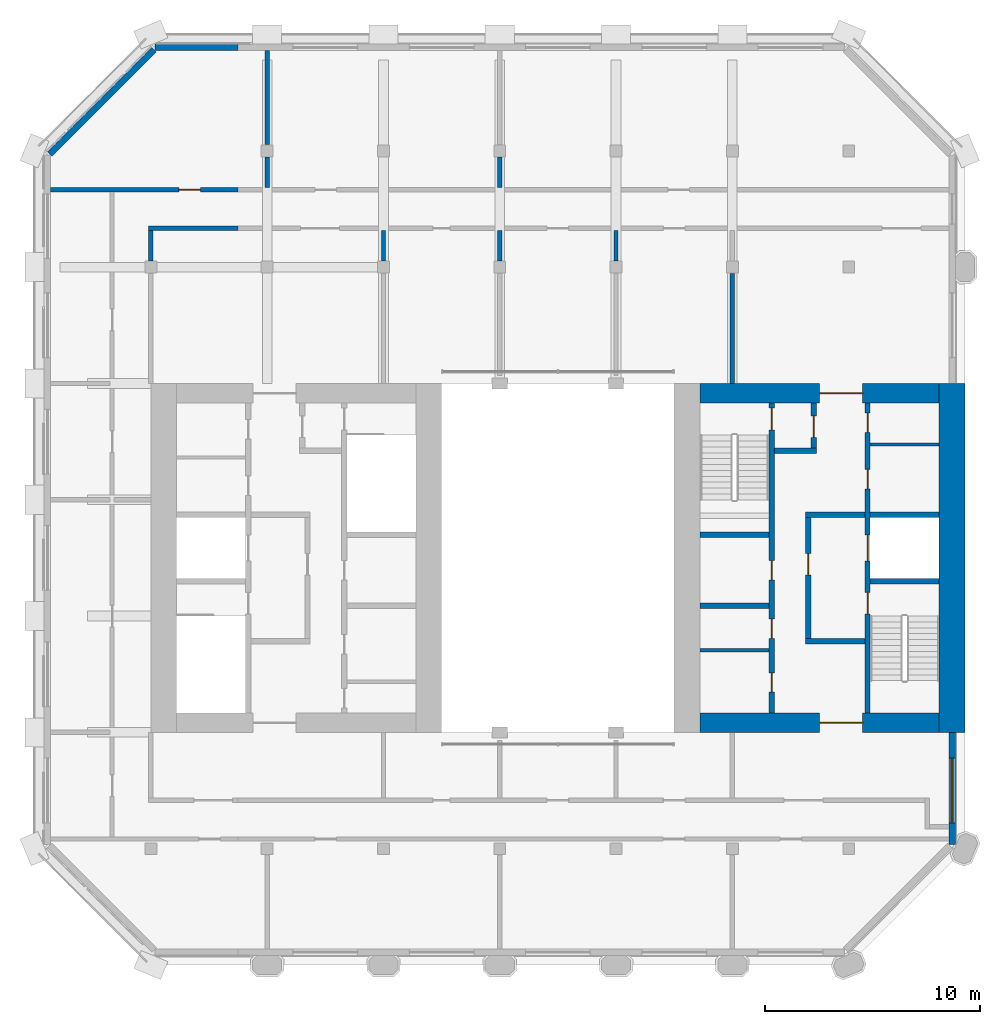
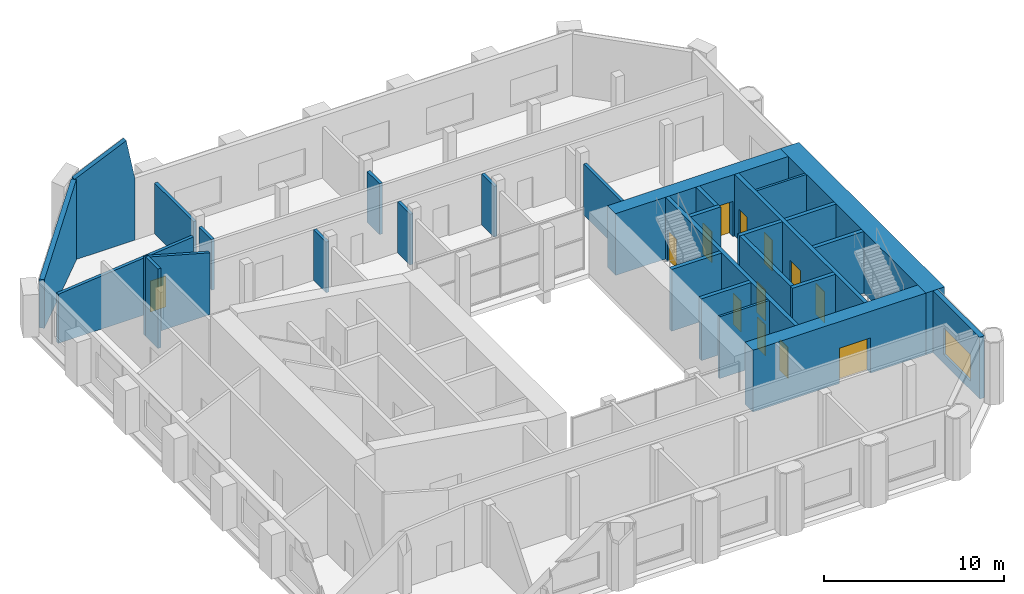
# One storey, part 8 of 11: 29 walls, 13 doors, 1 window, 14 openings.
"""IFC4 building model written with IfcOpenShell, lengths in metres."""

import ifcopenshell
import ifcopenshell.guid

model = None  # the IFC model being written
_history = None  # IfcOwnerHistory: only IFC2X3 demands one
_inside = {}  # id of a spatial element -> (the spatial element, [elements in it])
_under = {}  # id of a project, library or spatial element -> (it, [spatial elements below it])
_declared = {}  # id of a project -> (the project, [libraries it declares])
_typed = {}  # id of a type object -> (the type object, [elements of that type])
_made_of = {}  # id of a material, layer set ... -> (it, [elements and type objects made of it])


def new_model(schema):
    """Start an empty IFC model of exactly this schema.

    Asked for "IFC4X3", IfcOpenShell would pick the latest addendum, in which some entities
    have other attributes; the version numbers below select the first issue.
    IFC2X3 requires an IfcOwnerHistory on every rooted entity: one is made here for all.
    """
    global model, _history
    if schema == "IFC4X3":
        model = ifcopenshell.file(schema_version=(4, 3, 0, 0))
    else:
        model = ifcopenshell.file(schema=schema)
    _inside.clear()
    _under.clear()
    _declared.clear()
    _typed.clear()
    _made_of.clear()
    _history = None
    if model.schema == "IFC2X3":
        org = make("IfcOrganization", Name="unknown")
        user = make(
            "IfcPersonAndOrganization",
            ThePerson=make("IfcPerson", FamilyName="unknown"),
            TheOrganization=org,
        )
        app = make(
            "IfcApplication",
            ApplicationDeveloper=org,
            Version="unknown",
            ApplicationFullName="unknown",
            ApplicationIdentifier="unknown",
        )
        _history = make(
            "IfcOwnerHistory",
            OwningUser=user,
            OwningApplication=app,
            ChangeAction="ADDED",
            CreationDate=0,
        )
    return model


def make(cls, **values):
    """One entity of the class cls with the attributes given. An attribute that is None is left unset."""
    return model.create_entity(
        cls, **{name: value for name, value in values.items() if value is not None}
    )


def rooted(cls, **values):
    """An entity with a GlobalId (a new one), such as an element, a storey or a relation."""
    return make(cls, GlobalId=ifcopenshell.guid.new(), OwnerHistory=_history, **values)


def si_unit(unit_type, name, prefix=None):
    """IfcSIUnit, for example si_unit("LENGTHUNIT", "METRE", prefix="MILLI")."""
    return make("IfcSIUnit", UnitType=unit_type, Prefix=prefix, Name=name)


def assignment(units):
    """IfcUnitAssignment: the units of a project."""
    return None if units is None else make("IfcUnitAssignment", Units=units)


def point(xyz):
    """IfcCartesianPoint."""
    return None if xyz is None else make("IfcCartesianPoint", Coordinates=xyz)


def direction(xyz):
    """IfcDirection."""
    return None if xyz is None else make("IfcDirection", DirectionRatios=xyz)


def frame(location, z_axis=None, x_axis=None):
    """IfcAxis2Placement3D, a coordinate frame: its origin and axes. An axis left out is left unset."""
    return make(
        "IfcAxis2Placement3D",
        Location=point(location),
        Axis=direction(z_axis),
        RefDirection=direction(x_axis),
    )


def frame_2d(location, x_axis=None):
    """IfcAxis2Placement2D, a coordinate frame in the plane: its origin and x axis."""
    return make(
        "IfcAxis2Placement2D", Location=point(location), RefDirection=direction(x_axis)
    )


def origin():
    """The frame at (0, 0, 0) with its axes left unset."""
    return frame((0.0, 0.0, 0.0))


def place(relative_to, where):
    """IfcLocalPlacement: puts the frame where relative to a parent placement (None: the world)."""
    return make(
        "IfcLocalPlacement", PlacementRelTo=relative_to, RelativePlacement=where
    )


def context(
    kind, dimensions, precision=None, world=None, true_north=None, identifier=None
):
    """IfcGeometricRepresentationContext, for example the 3D "Model" context."""
    return make(
        "IfcGeometricRepresentationContext",
        ContextIdentifier=identifier,
        ContextType=kind,
        CoordinateSpaceDimension=dimensions,
        Precision=precision,
        WorldCoordinateSystem=world,
        TrueNorth=true_north,
    )


def subcontext(parent, identifier, kind, view, scale=None):
    """IfcGeometricRepresentationSubContext, for example "Body" below "Model"."""
    return make(
        "IfcGeometricRepresentationSubContext",
        ContextIdentifier=identifier,
        ContextType=kind,
        ParentContext=parent,
        TargetScale=scale,
        TargetView=view,
    )


def project(units=None, contexts=None):
    """IfcProject with its units and contexts."""
    return rooted(
        "IfcProject",
        Name="project",
        RepresentationContexts=contexts,
        UnitsInContext=assignment(units),
    )


def spatial(cls, under=None, at=None, **own):
    """A site, building, storey or space (cls), placed at a placement, below another one or the project."""
    s = rooted(cls, ObjectPlacement=at, **own)
    if under is not None:
        _under.setdefault(under.id(), (under, []))[1].append(s)
    return s


def polyline(points):
    """IfcPolyline through the points."""
    return make("IfcPolyline", Points=[point(p) for p in points])


def profile(cls, at=None, kind="AREA", **sizes):
    """A parametric profile (cls). Its sizes go by their IFC names, for example OverallWidth=200.0."""
    return make(cls, ProfileType=kind, Position=at, **sizes)


def rectangle(**sizes):
    """IfcRectangleProfileDef."""
    return profile("IfcRectangleProfileDef", **sizes)


def outline(outer, holes=None, kind="AREA"):
    """IfcArbitraryClosedProfileDef: a profile drawn as a closed curve; with holes, ...WithVoids."""
    if holes is None:
        return make("IfcArbitraryClosedProfileDef", ProfileType=kind, OuterCurve=outer)
    return make(
        "IfcArbitraryProfileDefWithVoids",
        ProfileType=kind,
        OuterCurve=outer,
        InnerCurves=holes,
    )


def extrude(swept, where, along, depth):
    """IfcExtrudedAreaSolid: the profile swept, set in the frame where, extruded along a direction by depth."""
    return make(
        "IfcExtrudedAreaSolid",
        SweptArea=swept,
        Position=where,
        ExtrudedDirection=direction(along),
        Depth=depth,
    )


def shape(context_of_items, identifier, shape_type, items):
    """IfcShapeRepresentation: the items that make up one representation, for example the "Body"."""
    return make(
        "IfcShapeRepresentation",
        ContextOfItems=context_of_items,
        RepresentationIdentifier=identifier,
        RepresentationType=shape_type,
        Items=items,
    )


def material(Name=None, Category=None):
    """IfcMaterial."""
    return make("IfcMaterial", Name=Name, Category=Category)


def layer(
    of_material, thickness, ventilated=None, Name=None, Category=None, Priority=None
):
    """IfcMaterialLayer: one layer of a wall or slab, of a material (None: an air gap)."""
    return make(
        "IfcMaterialLayer",
        Material=of_material,
        LayerThickness=thickness,
        IsVentilated=ventilated,
        Name=Name,
        Category=Category,
        Priority=Priority,
    )


def layer_set(layers, Name=None):
    """IfcMaterialLayerSet."""
    return make("IfcMaterialLayerSet", MaterialLayers=layers, LayerSetName=Name)


def made_of(thing, what):
    """Note that an element or type object is made of a material, layer set ...; save() writes the relation."""
    if what is not None:
        _made_of.setdefault(what.id(), (what, []))[1].append(thing)
    return thing


def type_object(cls, material=None, **own):
    """A type object (cls), such as IfcWallType, which elements share."""
    return made_of(rooted(cls, **own), material)


def element(
    cls,
    number,
    at=None,
    inside=None,
    cuts=None,
    type_object=None,
    material=None,
    context=None,
    identifier="Body",
    shape_type=None,
    held_by="IfcProductDefinitionShape",
    body=None,
    shapes=None,
    **own,
):
    """One element of the class cls, such as IfcWall. Its Tag is "e" and its number.

    at: its placement. inside: the storey or other place that contains it. cuts: it is an
    opening in that element (IfcRelVoidsElement). A single representation is given by context,
    identifier, shape_type and body (its items); several are given by shapes. held_by: the class
    of the entity that holds the representations. save() writes the other relations.
    """
    e = rooted(cls, Tag="e%d" % number, ObjectPlacement=at, **own)
    if body is not None:
        shapes = [shape(context, identifier, shape_type, body)]
    if shapes is not None:
        e.Representation = make(held_by, Representations=shapes)
    if inside is not None:
        _inside.setdefault(inside.id(), (inside, []))[1].append(e)
    if cuts is not None:
        rooted(
            "IfcRelVoidsElement", RelatingBuildingElement=cuts, RelatedOpeningElement=e
        )
    if type_object is not None:
        _typed.setdefault(type_object.id(), (type_object, []))[1].append(e)
    return made_of(e, material)


def fill(opening, filler):
    """IfcRelFillsElement: the door or window that sits in an opening."""
    return rooted(
        "IfcRelFillsElement",
        RelatingOpeningElement=opening,
        RelatedBuildingElement=filler,
    )


def aggregate(whole, parts):
    """IfcRelAggregates: a whole, such as a stair, and the parts it consists of."""
    return rooted("IfcRelAggregates", RelatingObject=whole, RelatedObjects=parts)


def save(model, path):
    """Write the relations noted so far, then the file.

    IfcRelAggregates (storeys below a building ...), IfcRelContainedInSpatialStructure (elements
    in a storey), IfcRelDefinesByType, IfcRelAssociatesMaterial and IfcRelDeclares: one each for
    every whole, place, type object, material and project.
    """
    for whole, parts in _under.values():
        aggregate(whole, parts)
    for where, things in _inside.values():
        rooted(
            "IfcRelContainedInSpatialStructure",
            RelatedElements=things,
            RelatingStructure=where,
        )
    for kind, things in _typed.values():
        rooted("IfcRelDefinesByType", RelatedObjects=things, RelatingType=kind)
    for what, things in _made_of.values():
        rooted("IfcRelAssociatesMaterial", RelatedObjects=things, RelatingMaterial=what)
    for by, libraries in _declared.values():
        rooted("IfcRelDeclares", RelatingContext=by, RelatedDefinitions=libraries)
    model.write(path)


model = new_model("IFC4")

# Units and contexts
model_context = context("Model", 3, precision=1e-05, world=origin(), true_north=direction((0.0, 1.0)))
body_context = subcontext(model_context, "Body", "Model", "MODEL_VIEW")
ifc_project = project(units=[si_unit("LENGTHUNIT", "METRE"), si_unit("AREAUNIT", "SQUARE_METRE"), si_unit("VOLUMEUNIT", "CUBIC_METRE"), si_unit("PLANEANGLEUNIT", "RADIAN"), si_unit("MASSUNIT", "GRAM", prefix="KILO")], contexts=[model_context])

# Site, building, storey
site_placement = place(None, origin())
site = spatial("IfcSite", under=ifc_project, at=site_placement, CompositionType="ELEMENT")
building_placement = place(site_placement, origin())
building = spatial("IfcBuilding", under=site, at=building_placement, Name="Tabaq Tower and Sports Hall", CompositionType="ELEMENT")
storey_placement = place(building_placement, frame((0.0, 0.0, 321.699951171875)))
storey = spatial("IfcBuildingStorey", under=building, at=storey_placement, Name="L80", CompositionType="ELEMENT", Elevation=321.699951171875)

# Walls
ifc_material_1 = material(Name="Blockwork", Category="masonry")
ifc_layer_1 = layer(ifc_material_1, 0.14990234375)
ifc_layer_set_1 = layer_set([ifc_layer_1], Name="Core room partition 150 Blockwork")
wall_type_1 = type_object("IfcWallType", Name="Core room partition 150 Blockwork", PredefinedType="PARTITIONING", material=ifc_layer_set_1)
wall_1_placement = place(storey_placement, frame((38.800048828125, 29.571044921875, 0.0), z_axis=(0.0, 0.0, 1.0), x_axis=(1.0, 0.0, 0.0)))
element("IfcWall", 1, at=wall_1_placement, inside=storey, type_object=wall_type_1, Name="Core room partition E L80", PredefinedType="PARTITIONING", context=body_context, shape_type="SweptSolid", body=[
    extrude(rectangle(XDim=3.199951171875, YDim=0.14990234375, at=frame_2d((1.60009765625, 0.0))), origin(), (0.0, 0.0, 1.0), 4.199951171875),
])
wall_2_placement = place(storey_placement, frame((30.89990234375, 20.010009765625, 0.0), z_axis=(0.0, 0.0, 1.0), x_axis=(1.0, 0.0, 0.0)))
element("IfcWall", 2, at=wall_2_placement, inside=storey, type_object=wall_type_1, Name="Core room partition E L80", PredefinedType="PARTITIONING", context=body_context, shape_type="SweptSolid", body=[
    extrude(rectangle(XDim=3.2001953125, YDim=0.14990234375, at=frame_2d((1.60009765625, 0.0))), origin(), (0.0, 0.0, 1.0), 4.199951171875),
])
ifc_material_2 = material(Name="Concrete C40/50", Category="concrete")
ifc_layer_2 = layer(ifc_material_2, 1.199951171875)
ifc_layer_set_2 = layer_set([ifc_layer_2], Name="Core wall 1200 Concrete C40/50")
wall_type_2 = type_object("IfcWallType", Name="Core wall 1200 Concrete C40/50", PredefinedType="SOLIDWALL", material=ifc_layer_set_2)
wall_3_placement = place(storey_placement, frame((42.60009765625, 32.39990234375, 0.0), z_axis=(0.0, 0.0, 1.0), x_axis=(0.0, -1.0, 0.0)))
element("IfcWall", 3, at=wall_3_placement, inside=storey, type_object=wall_type_2, Name="Core wall E L80", PredefinedType="SOLIDWALL", context=body_context, shape_type="SweptSolid", body=[
    extrude(rectangle(XDim=16.199951171875, YDim=1.199951171875, at=frame_2d((8.10009765625, 0.0))), origin(), (0.0, 0.0, 1.0), 4.199951171875),
])

# Wall, opening, door
ifc_material_3 = material(Name="Concrete C40/50", Category="concrete")
ifc_layer_3 = layer(ifc_material_3, 0.89990234375)
ifc_layer_set_3 = layer_set([ifc_layer_3], Name="Core wall 900 Concrete C40/50")
wall_type_3 = type_object("IfcWallType", Name="Core wall 900 Concrete C40/50", PredefinedType="SOLIDWALL", material=ifc_layer_set_3)
wall_4_placement = place(storey_placement, frame((42.0, 16.64990234375, 0.0), z_axis=(0.0, 0.0, 1.0), x_axis=(-1.0, 0.0, 0.0)))
wall_4 = element("IfcWall", 4, at=wall_4_placement, inside=storey, type_object=wall_type_3, Name="Core wall E L80", PredefinedType="SOLIDWALL", context=body_context, shape_type="SweptSolid", body=[
    extrude(rectangle(XDim=11.10009765625, YDim=0.89990234375, at=frame_2d((5.550048828125, 0.0))), origin(), (0.0, 0.0, 1.0), 4.199951171875),
])
opening_1_placement = place(wall_4_placement, frame((3.550048828125, 0.0, 0.0)))
opening_1 = element("IfcOpeningElement", 5, at=opening_1_placement, cuts=wall_4, Name="Opening PD-EL80-01", PredefinedType="OPENING", context=body_context, shape_type="SweptSolid", body=[
    extrude(rectangle(XDim=2.0, YDim=2.39990234375, at=frame_2d((1.0, 1.199951171875))), frame((0.0, 0.449951171875, 0.0), z_axis=(0.0, -1.0, 0.0), x_axis=(1.0, 0.0, 0.0)), (0.0, 0.0, 1.0), 0.89990234375),
])
ifc_material_4 = material(Name="Steel fire door", Category="steel")
door_type_1 = type_object("IfcDoorType", Name="Core entrance door 2000", OperationType="DOUBLE_DOOR_SINGLE_SWING", PredefinedType="DOOR", material=ifc_material_4)
door_1_placement = place(opening_1_placement, origin())
door_1 = element("IfcDoor", 6, at=door_1_placement, inside=storey, type_object=door_type_1, Name="Core entrance south E L80", OperationType="DOUBLE_DOOR_SINGLE_SWING", OverallHeight=2.39990234375, OverallWidth=2.0, PredefinedType="DOOR", context=body_context, shape_type="SweptSolid", body=[
    extrude(rectangle(XDim=2.0, YDim=2.39990234375, at=frame_2d((1.0, 1.199951171875))), frame((0.0, 0.02490234375, 0.0), z_axis=(0.0, -1.0, 0.0), x_axis=(1.0, 0.0, 0.0)), (0.0, 0.0, 1.0), 0.050048828125),
])
fill(opening_1, door_1)

wall_5_placement = place(storey_placement, frame((30.89990234375, 31.949951171875, 0.0), z_axis=(0.0, 0.0, 1.0), x_axis=(1.0, 0.0, 0.0)))
wall_5 = element("IfcWall", 7, at=wall_5_placement, inside=storey, type_object=wall_type_3, Name="Core wall E L80", PredefinedType="SOLIDWALL", context=body_context, shape_type="SweptSolid", body=[
    extrude(rectangle(XDim=11.10009765625, YDim=0.89990234375, at=frame_2d((5.550048828125, 0.0))), origin(), (0.0, 0.0, 1.0), 4.199951171875),
])
opening_2_placement = place(wall_5_placement, frame((5.550048828125, 0.0, 0.0)))
opening_2 = element("IfcOpeningElement", 8, at=opening_2_placement, cuts=wall_5, Name="Opening PD-EL80-02", PredefinedType="OPENING", context=body_context, shape_type="SweptSolid", body=[
    extrude(rectangle(XDim=2.0, YDim=2.39990234375, at=frame_2d((1.0, 1.199951171875))), frame((0.0, 0.449951171875, 0.0), z_axis=(0.0, -1.0, 0.0), x_axis=(1.0, 0.0, 0.0)), (0.0, 0.0, 1.0), 0.89990234375),
])
door_2_placement = place(opening_2_placement, origin())
door_2 = element("IfcDoor", 9, at=door_2_placement, inside=storey, type_object=door_type_1, Name="Core entrance north E L80", OperationType="DOUBLE_DOOR_SINGLE_SWING", OverallHeight=2.39990234375, OverallWidth=2.0, PredefinedType="DOOR", context=body_context, shape_type="SweptSolid", body=[
    extrude(rectangle(XDim=2.0, YDim=2.39990234375, at=frame_2d((1.0, 1.199951171875))), frame((0.0, 0.02490234375, 0.0), z_axis=(0.0, -1.0, 0.0), x_axis=(1.0, 0.0, 0.0)), (0.0, 0.0, 1.0), 0.050048828125),
])
fill(opening_2, door_2)

# Walls
ifc_material_5 = material(Name="Blockwork", Category="masonry")
ifc_layer_4 = layer(ifc_material_5, 0.199951171875)
ifc_layer_set_4 = layer_set([ifc_layer_4], Name="Fire compartment wall 200 Blockwork")
wall_type_4 = type_object("IfcWallType", Name="Fire compartment wall 200 Blockwork", PredefinedType="PARTITIONING", material=ifc_layer_set_4)
wall_6_placement = place(storey_placement, frame((21.60009765625, 42.905029296875, 0.0), z_axis=(0.0, 0.0, 1.0), x_axis=(0.0, -1.0, 0.0)))
element("IfcWall", 10, at=wall_6_placement, inside=storey, type_object=wall_type_4, Name="Compartment wall L80", PredefinedType="PARTITIONING", context=body_context, shape_type="SweptSolid", body=[
    extrude(rectangle(XDim=1.405029296875, YDim=0.199951171875, at=frame_2d((0.70263671875, 0.0))), origin(), (0.0, 0.0, 1.0), 3.449951171875),
])
wall_7_placement = place(storey_placement, frame((10.800048828125, 47.84912109375, 0.0), z_axis=(0.0, 0.0, 1.0), x_axis=(0.0, -1.0, 0.0)))
element("IfcWall", 11, at=wall_7_placement, inside=storey, type_object=wall_type_4, Name="Compartment wall L80", PredefinedType="PARTITIONING", context=body_context, shape_type="SweptSolid", body=[
    extrude(rectangle(XDim=4.35400390625, YDim=0.199951171875, at=frame_2d((2.177001953125, 0.0))), origin(), (0.0, 0.0, 1.0), 3.449951171875),
])
wall_8_placement = place(storey_placement, frame((10.800048828125, 42.905029296875, 0.0), z_axis=(0.0, 0.0, 1.0), x_axis=(0.0, -1.0, 0.0)))
element("IfcWall", 12, at=wall_8_placement, inside=storey, type_object=wall_type_4, Name="Compartment wall L80", PredefinedType="PARTITIONING", context=body_context, shape_type="SweptSolid", body=[
    extrude(rectangle(XDim=1.405029296875, YDim=0.199951171875, at=frame_2d((0.70263671875, 0.0))), origin(), (0.0, 0.0, 1.0), 3.449951171875),
])

# Wall, opening, door
wall_9_placement = place(storey_placement, frame((9.449951171875, 41.39990234375, 0.0), z_axis=(0.0, 0.0, 1.0), x_axis=(-1.0, 0.0, 0.0)))
wall_9 = element("IfcWall", 13, at=wall_9_placement, inside=storey, type_object=wall_type_4, Name="Compartment wall L80", PredefinedType="PARTITIONING", context=body_context, shape_type="SweptSolid", body=[
    extrude(outline(polyline([(0.0, 0.0), (8.698974609375, 0.0), (8.698974609375, 3.333740234375), (0.0, 4.199951171875), (0.0, 0.0)])), frame((0.0, 0.10009765625, 0.0), z_axis=(0.0, -1.0, 0.0), x_axis=(1.0, 0.0, 0.0)), (0.0, 0.0, 1.0), 0.199951171875),
])
opening_3_placement = place(wall_9_placement, frame((1.75, 0.0, 0.0)))
opening_3 = element("IfcOpeningElement", 14, at=opening_3_placement, cuts=wall_9, Name="Opening L80-004", PredefinedType="OPENING", context=body_context, shape_type="SweptSolid", body=[
    extrude(rectangle(XDim=1.0, YDim=2.10009765625, at=frame_2d((0.5, 1.050048828125))), frame((0.0, 0.10009765625, 0.0), z_axis=(0.0, -1.0, 0.0), x_axis=(1.0, 0.0, 0.0)), (0.0, 0.0, 1.0), 0.199951171875),
])
ifc_material_6 = material(Name="Steel fire door", Category="steel")
door_type_2 = type_object("IfcDoorType", Name="Plant room door 1000 left hand", OperationType="SINGLE_SWING_LEFT", PredefinedType="DOOR", material=ifc_material_6)
door_3_placement = place(opening_3_placement, origin())
door_3 = element("IfcDoor", 15, at=door_3_placement, inside=storey, type_object=door_type_2, Name="Plant room door L80-004", OperationType="SINGLE_SWING_LEFT", OverallHeight=2.10009765625, OverallWidth=1.0, PredefinedType="DOOR", context=body_context, shape_type="SweptSolid", body=[
    extrude(rectangle(XDim=1.0, YDim=2.10009765625, at=frame_2d((0.5, 1.050048828125))), frame((0.0, 0.02490234375, 0.0), z_axis=(0.0, -1.0, 0.0), x_axis=(1.0, 0.0, 0.0)), (0.0, 0.0, 1.0), 0.050048828125),
])
fill(opening_3, door_3)

# Walls
wall_10_placement = place(storey_placement, frame((32.39990234375, 32.39990234375, 0.0), z_axis=(0.0, 0.0, 1.0), x_axis=(0.0, 1.0, 0.0)))
element("IfcWall", 16, at=wall_10_placement, inside=storey, type_object=wall_type_4, Name="Compartment wall L80", PredefinedType="PARTITIONING", context=body_context, shape_type="SweptSolid", body=[
    extrude(rectangle(XDim=5.10498046875, YDim=0.199951171875, at=frame_2d((2.552490234375, 0.0))), origin(), (0.0, 0.0, 1.0), 3.449951171875),
])
for number, where, z_axis, x_axis, name in (
    (17, (27.0, 39.5, 0.0), (0.0, 0.0, 1.0), (0.0, -1.0, 0.0), "Compartment wall L80"),
    (18, (21.60009765625, 39.5, 0.0), (0.0, 0.0, 1.0), (0.0, -1.0, 0.0), "Compartment wall L80"),
    (19, (16.199951171875, 39.5, 0.0), (0.0, 0.0, 1.0), (0.0, -1.0, 0.0), "Compartment wall L80"),
):
    element("IfcWall", number, at=place(storey_placement, frame(where, z_axis=z_axis, x_axis=x_axis)), inside=storey, type_object=wall_type_4, Name=name, PredefinedType="PARTITIONING", context=body_context, shape_type="SweptSolid", body=[
        extrude(rectangle(XDim=1.405029296875, YDim=0.199951171875, at=frame_2d((0.70263671875, 0.0))), origin(), (0.0, 0.0, 1.0), 3.449951171875),
    ])
wall_11_placement = place(storey_placement, frame((9.449951171875, 39.60009765625, 0.0), z_axis=(0.0, 0.0, 1.0), x_axis=(-1.0, 0.0, 0.0)))
element("IfcWall", 20, at=wall_11_placement, inside=storey, type_object=wall_type_4, Name="Compartment wall L80", PredefinedType="PARTITIONING", context=body_context, shape_type="SweptSolid", body=[
    extrude(outline(polyline([(0.0, 0.0), (4.14990234375, 0.0), (4.14990234375, 5.355712890625), (0.0, 4.199951171875), (0.0, 0.0)])), frame((0.0, 0.10009765625, 0.0), z_axis=(0.0, -1.0, 0.0), x_axis=(1.0, 0.0, 0.0)), (0.0, 0.0, 1.0), 0.199951171875),
])
wall_12_placement = place(storey_placement, frame((5.39990234375, 39.5, 0.0), z_axis=(0.0, 0.0, 1.0), x_axis=(0.0, -1.0, 0.0)))
element("IfcWall", 21, at=wall_12_placement, inside=storey, type_object=wall_type_4, Name="Compartment wall L80", PredefinedType="PARTITIONING", context=body_context, shape_type="SweptSolid", body=[
    extrude(rectangle(XDim=1.405029296875, YDim=0.199951171875, at=frame_2d((0.70263671875, 0.0))), origin(), (0.0, 0.0, 1.0), 5.400146484375),
])

# Wall, openings, doors
ifc_material_7 = material(Name="Concrete C40/50", Category="concrete")
ifc_layer_5 = layer(ifc_material_7, 0.25)
ifc_layer_set_5 = layer_set([ifc_layer_5], Name="Shaft and stair wall 250 Concrete C40/50")
wall_type_5 = type_object("IfcWallType", Name="Shaft and stair wall 250 Concrete C40/50", PredefinedType="SOLIDWALL", material=ifc_layer_set_5)
wall_13_placement = place(storey_placement, frame((38.675048828125, 17.10009765625, 0.0), z_axis=(0.0, 0.0, 1.0), x_axis=(0.0, 1.0, 0.0)))
wall_13 = element("IfcWall", 22, at=wall_13_placement, inside=storey, type_object=wall_type_5, Name="Shaft wall E L80", PredefinedType="SOLIDWALL", context=body_context, shape_type="SweptSolid", body=[
    extrude(rectangle(XDim=14.39990234375, YDim=0.25, at=frame_2d((7.199951171875, 0.0))), origin(), (0.0, 0.0, 1.0), 4.199951171875),
])
opening_4_placement = place(wall_13_placement, frame((4.60009765625, 0.0, 0.0)))
opening_4 = element("IfcOpeningElement", 23, at=opening_4_placement, cuts=wall_13, Name="Opening SD-EL80-03", PredefinedType="OPENING", context=body_context, shape_type="SweptSolid", body=[
    extrude(rectangle(XDim=1.0, YDim=2.10009765625, at=frame_2d((0.5, 1.050048828125))), frame((0.0, 0.125, 0.0), z_axis=(0.0, -1.0, 0.0), x_axis=(1.0, 0.0, 0.0)), (0.0, 0.0, 1.0), 0.25),
])
opening_5_placement = place(wall_13_placement, frame((7.0625, 0.0, 0.0)))
opening_5 = element("IfcOpeningElement", 24, at=opening_5_placement, cuts=wall_13, Name="Opening LD-FF2-L80", PredefinedType="OPENING", context=body_context, shape_type="SweptSolid", body=[
    extrude(rectangle(XDim=1.199951171875, YDim=2.10009765625, at=frame_2d((0.60009765625, 1.050048828125))), frame((0.0, 0.125, 0.0), z_axis=(0.0, -1.0, 0.0), x_axis=(1.0, 0.0, 0.0)), (0.0, 0.0, 1.0), 0.25),
])
opening_6_placement = place(wall_13_placement, frame((10.410400390625, 0.0, 0.0)))
opening_6 = element("IfcOpeningElement", 25, at=opening_6_placement, cuts=wall_13, Name="Opening RD-EL80-08", PredefinedType="OPENING", context=body_context, shape_type="SweptSolid", body=[
    extrude(rectangle(XDim=0.89990234375, YDim=2.10009765625, at=frame_2d((0.449951171875, 1.050048828125))), frame((0.0, 0.125, 0.0), z_axis=(0.0, -1.0, 0.0), x_axis=(1.0, 0.0, 0.0)), (0.0, 0.0, 1.0), 0.25),
])
opening_7_placement = place(wall_13_placement, frame((13.02294921875, 0.0, 0.0)))
opening_7 = element("IfcOpeningElement", 26, at=opening_7_placement, cuts=wall_13, Name="Opening RD-EL80-09", PredefinedType="OPENING", context=body_context, shape_type="SweptSolid", body=[
    extrude(rectangle(XDim=0.89990234375, YDim=2.10009765625, at=frame_2d((0.449951171875, 1.050048828125))), frame((0.0, 0.125, 0.0), z_axis=(0.0, -1.0, 0.0), x_axis=(1.0, 0.0, 0.0)), (0.0, 0.0, 1.0), 0.25),
])
ifc_material_8 = material(Name="Steel fire door", Category="steel")
door_type_3 = type_object("IfcDoorType", Name="Core room door 900", OperationType="SINGLE_SWING_LEFT", PredefinedType="DOOR", material=ifc_material_8)
door_4_placement = place(opening_6_placement, origin())
door_4 = element("IfcDoor", 27, at=door_4_placement, inside=storey, type_object=door_type_3, Name="Door Electrical Room E L80", OperationType="SINGLE_SWING_LEFT", OverallHeight=2.10009765625, OverallWidth=0.89990234375, PredefinedType="DOOR", context=body_context, shape_type="SweptSolid", body=[
    extrude(rectangle(XDim=0.89990234375, YDim=2.10009765625, at=frame_2d((0.449951171875, 1.050048828125))), frame((0.0, 0.02490234375, 0.0), z_axis=(0.0, -1.0, 0.0), x_axis=(1.0, 0.0, 0.0)), (0.0, 0.0, 1.0), 0.050048828125),
])
fill(opening_6, door_4)
door_5_placement = place(opening_7_placement, origin())
door_5 = element("IfcDoor", 28, at=door_5_placement, inside=storey, type_object=door_type_3, Name="Door Comms Room E L80", OperationType="SINGLE_SWING_LEFT", OverallHeight=2.10009765625, OverallWidth=0.89990234375, PredefinedType="DOOR", context=body_context, shape_type="SweptSolid", body=[
    extrude(rectangle(XDim=0.89990234375, YDim=2.10009765625, at=frame_2d((0.449951171875, 1.050048828125))), frame((0.0, 0.02490234375, 0.0), z_axis=(0.0, -1.0, 0.0), x_axis=(1.0, 0.0, 0.0)), (0.0, 0.0, 1.0), 0.050048828125),
])
fill(opening_7, door_5)
ifc_material_9 = material(Name="Stainless steel", Category="steel")
door_type_4 = type_object("IfcDoorType", Name="Lift landing door 1200", OperationType="DOUBLE_DOOR_SLIDING", PredefinedType="DOOR", material=ifc_material_9)
door_6_placement = place(opening_5_placement, origin())
door_6 = element("IfcDoor", 29, at=door_6_placement, inside=storey, type_object=door_type_4, Name="Lift landing door FF2 E L80", OperationType="DOUBLE_DOOR_SLIDING", OverallHeight=2.10009765625, OverallWidth=1.199951171875, PredefinedType="DOOR", context=body_context, shape_type="SweptSolid", body=[
    extrude(rectangle(XDim=1.199951171875, YDim=2.10009765625, at=frame_2d((0.60009765625, 1.050048828125))), frame((0.0, 0.02490234375, 0.0), z_axis=(0.0, -1.0, 0.0), x_axis=(1.0, 0.0, 0.0)), (0.0, 0.0, 1.0), 0.050048828125),
])
fill(opening_5, door_6)
ifc_material_10 = material(Name="Steel fire door", Category="steel")
door_type_5 = type_object("IfcDoorType", Name="Stair door 1000", OperationType="SINGLE_SWING_LEFT", PredefinedType="DOOR", material=ifc_material_10)
door_7_placement = place(opening_4_placement, origin())
door_7 = element("IfcDoor", 30, at=door_7_placement, inside=storey, type_object=door_type_5, Name="Stair door ST3 E L80", OperationType="SINGLE_SWING_LEFT", OverallHeight=2.10009765625, OverallWidth=1.0, PredefinedType="DOOR", context=body_context, shape_type="SweptSolid", body=[
    extrude(rectangle(XDim=1.0, YDim=2.10009765625, at=frame_2d((0.5, 1.050048828125))), frame((0.0, 0.02490234375, 0.0), z_axis=(0.0, -1.0, 0.0), x_axis=(1.0, 0.0, 0.0)), (0.0, 0.0, 1.0), 0.050048828125),
])
fill(opening_4, door_7)

wall_14_placement = place(storey_placement, frame((34.22509765625, 17.10009765625, 0.0), z_axis=(0.0, 0.0, 1.0), x_axis=(0.0, 1.0, 0.0)))
wall_14 = element("IfcWall", 31, at=wall_14_placement, inside=storey, type_object=wall_type_5, Name="Shaft wall E L80", PredefinedType="SOLIDWALL", context=body_context, shape_type="SweptSolid", body=[
    extrude(rectangle(XDim=14.39990234375, YDim=0.25, at=frame_2d((7.199951171875, 0.0))), origin(), (0.0, 0.0, 1.0), 4.199951171875),
])
opening_8_placement = place(wall_14_placement, frame((13.14990234375, 0.0, 0.0)))
opening_8 = element("IfcOpeningElement", 32, at=opening_8_placement, cuts=wall_14, Name="Opening SD-EL80-05", PredefinedType="OPENING", context=body_context, shape_type="SweptSolid", body=[
    extrude(rectangle(XDim=1.0, YDim=2.10009765625, at=frame_2d((0.5, 1.050048828125))), frame((0.0, 0.125, 0.0), z_axis=(0.0, -1.0, 0.0), x_axis=(1.0, 0.0, 0.0)), (0.0, 0.0, 1.0), 0.25),
])
opening_9_placement = place(wall_14_placement, frame((0.967529296875, 0.0, 0.0)))
opening_9 = element("IfcOpeningElement", 33, at=opening_9_placement, cuts=wall_14, Name="Opening RD-EL80-10", PredefinedType="OPENING", context=body_context, shape_type="SweptSolid", body=[
    extrude(rectangle(XDim=0.89990234375, YDim=2.10009765625, at=frame_2d((0.449951171875, 1.050048828125))), frame((0.0, 0.125, 0.0), z_axis=(0.0, -1.0, 0.0), x_axis=(1.0, 0.0, 0.0)), (0.0, 0.0, 1.0), 0.25),
])
opening_10_placement = place(wall_14_placement, frame((3.467529296875, 0.0, 0.0)))
opening_10 = element("IfcOpeningElement", 34, at=opening_10_placement, cuts=wall_14, Name="Opening RD-EL80-11", PredefinedType="OPENING", context=body_context, shape_type="SweptSolid", body=[
    extrude(rectangle(XDim=0.89990234375, YDim=2.10009765625, at=frame_2d((0.449951171875, 1.050048828125))), frame((0.0, 0.125, 0.0), z_axis=(0.0, -1.0, 0.0), x_axis=(1.0, 0.0, 0.0)), (0.0, 0.0, 1.0), 0.25),
])
opening_11_placement = place(wall_14_placement, frame((6.175048828125, 0.0, 0.0)))
opening_11 = element("IfcOpeningElement", 35, at=opening_11_placement, cuts=wall_14, Name="Opening RD-EL80-12", PredefinedType="OPENING", context=body_context, shape_type="SweptSolid", body=[
    extrude(rectangle(XDim=0.89990234375, YDim=2.10009765625, at=frame_2d((0.449951171875, 1.050048828125))), frame((0.0, 0.125, 0.0), z_axis=(0.0, -1.0, 0.0), x_axis=(1.0, 0.0, 0.0)), (0.0, 0.0, 1.0), 0.25),
])
door_8_placement = place(opening_9_placement, origin())
door_8 = element("IfcDoor", 36, at=door_8_placement, inside=storey, type_object=door_type_3, Name="Door Plant Room E L80", OperationType="SINGLE_SWING_LEFT", OverallHeight=2.10009765625, OverallWidth=0.89990234375, PredefinedType="DOOR", context=body_context, shape_type="SweptSolid", body=[
    extrude(rectangle(XDim=0.89990234375, YDim=2.10009765625, at=frame_2d((0.449951171875, 1.050048828125))), frame((0.0, 0.02490234375, 0.0), z_axis=(0.0, -1.0, 0.0), x_axis=(1.0, 0.0, 0.0)), (0.0, 0.0, 1.0), 0.050048828125),
])
fill(opening_9, door_8)
door_9_placement = place(opening_10_placement, origin())
door_9 = element("IfcDoor", 37, at=door_9_placement, inside=storey, type_object=door_type_3, Name="Door Plant Control Room E L80", OperationType="SINGLE_SWING_LEFT", OverallHeight=2.10009765625, OverallWidth=0.89990234375, PredefinedType="DOOR", context=body_context, shape_type="SweptSolid", body=[
    extrude(rectangle(XDim=0.89990234375, YDim=2.10009765625, at=frame_2d((0.449951171875, 1.050048828125))), frame((0.0, 0.02490234375, 0.0), z_axis=(0.0, -1.0, 0.0), x_axis=(1.0, 0.0, 0.0)), (0.0, 0.0, 1.0), 0.050048828125),
])
fill(opening_10, door_9)
door_10_placement = place(opening_11_placement, origin())
door_10 = element("IfcDoor", 38, at=door_10_placement, inside=storey, type_object=door_type_3, Name="Door Riser Room E L80", OperationType="SINGLE_SWING_LEFT", OverallHeight=2.10009765625, OverallWidth=0.89990234375, PredefinedType="DOOR", context=body_context, shape_type="SweptSolid", body=[
    extrude(rectangle(XDim=0.89990234375, YDim=2.10009765625, at=frame_2d((0.449951171875, 1.050048828125))), frame((0.0, 0.02490234375, 0.0), z_axis=(0.0, -1.0, 0.0), x_axis=(1.0, 0.0, 0.0)), (0.0, 0.0, 1.0), 0.050048828125),
])
fill(opening_11, door_10)
door_11_placement = place(opening_8_placement, origin())
door_11 = element("IfcDoor", 39, at=door_11_placement, inside=storey, type_object=door_type_5, Name="Stair door ST4 E L80", OperationType="SINGLE_SWING_LEFT", OverallHeight=2.10009765625, OverallWidth=1.0, PredefinedType="DOOR", context=body_context, shape_type="SweptSolid", body=[
    extrude(rectangle(XDim=1.0, YDim=2.10009765625, at=frame_2d((0.5, 1.050048828125))), frame((0.0, 0.02490234375, 0.0), z_axis=(0.0, -1.0, 0.0), x_axis=(1.0, 0.0, 0.0)), (0.0, 0.0, 1.0), 0.050048828125),
])
fill(opening_8, door_11)

# Walls
wall_15_placement = place(storey_placement, frame((38.800048828125, 23.22509765625, 0.0), z_axis=(0.0, 0.0, 1.0), x_axis=(1.0, 0.0, 0.0)))
element("IfcWall", 40, at=wall_15_placement, inside=storey, type_object=wall_type_5, Name="Stair enclosure wall E L80", PredefinedType="SOLIDWALL", context=body_context, shape_type="SweptSolid", body=[
    extrude(rectangle(XDim=3.199951171875, YDim=0.25, at=frame_2d((1.60009765625, 0.0))), origin(), (0.0, 0.0, 1.0), 4.199951171875),
])
for number, where, z_axis, x_axis, name in (
    (41, (30.89990234375, 25.375, 0.0), (0.0, 0.0, 1.0), (1.0, 0.0, 0.0), "Stair enclosure wall E L80"),
    (42, (30.89990234375, 22.074951171875, 0.0), (0.0, 0.0, 1.0), (1.0, 0.0, 0.0), "Shaft wall E L80"),
):
    element("IfcWall", number, at=place(storey_placement, frame(where, z_axis=z_axis, x_axis=x_axis)), inside=storey, type_object=wall_type_5, Name=name, PredefinedType="SOLIDWALL", context=body_context, shape_type="SweptSolid", body=[
        extrude(rectangle(XDim=3.2001953125, YDim=0.25, at=frame_2d((1.60009765625, 0.0))), origin(), (0.0, 0.0, 1.0), 4.199951171875),
    ])
wall_16_placement = place(storey_placement, frame((38.800048828125, 26.300048828125, 0.0), z_axis=(0.0, 0.0, 1.0), x_axis=(1.0, 0.0, 0.0)))
element("IfcWall", 43, at=wall_16_placement, inside=storey, type_object=wall_type_5, Name="Shaft wall E L80", PredefinedType="SOLIDWALL", context=body_context, shape_type="SweptSolid", body=[
    extrude(rectangle(XDim=3.199951171875, YDim=0.25, at=frame_2d((1.60009765625, 0.0))), origin(), (0.0, 0.0, 1.0), 4.199951171875),
])
for number, where, z_axis, x_axis, name in (
    (44, (35.800048828125, 26.300048828125, 0.0), (0.0, 0.0, 1.0), (1.0, 0.0, 0.0), "Fire-fighting lobby wall E L80"),
    (45, (35.800048828125, 20.425048828125, 0.0), (0.0, 0.0, 1.0), (1.0, 0.0, 0.0), "Fire-fighting lobby wall E L80"),
):
    element("IfcWall", number, at=place(storey_placement, frame(where, z_axis=z_axis, x_axis=x_axis)), inside=storey, type_object=wall_type_5, Name=name, PredefinedType="SOLIDWALL", context=body_context, shape_type="SweptSolid", body=[
        extrude(rectangle(XDim=2.75, YDim=0.25, at=frame_2d((1.375, 0.0))), origin(), (0.0, 0.0, 1.0), 4.199951171875),
    ])

# Wall, opening, door
wall_17_placement = place(storey_placement, frame((36.175048828125, 29.39990234375, 0.0), z_axis=(0.0, 0.0, 1.0), x_axis=(0.0, 1.0, 0.0)))
wall_17 = element("IfcWall", 46, at=wall_17_placement, inside=storey, type_object=wall_type_5, Name="Fire-fighting lobby wall E L80", PredefinedType="SOLIDWALL", context=body_context, shape_type="SweptSolid", body=[
    extrude(rectangle(XDim=2.10009765625, YDim=0.25, at=frame_2d((1.050048828125, 0.0))), origin(), (0.0, 0.0, 1.0), 4.199951171875),
])
opening_12_placement = place(wall_17_placement, frame((0.5, 0.0, 0.0)))
opening_12 = element("IfcOpeningElement", 47, at=opening_12_placement, cuts=wall_17, Name="Opening FD-EL80-06", PredefinedType="OPENING", context=body_context, shape_type="SweptSolid", body=[
    extrude(rectangle(XDim=1.0, YDim=2.10009765625, at=frame_2d((0.5, 1.050048828125))), frame((0.0, 0.125, 0.0), z_axis=(0.0, -1.0, 0.0), x_axis=(1.0, 0.0, 0.0)), (0.0, 0.0, 1.0), 0.25),
])
ifc_material_11 = material(Name="Steel fire door", Category="steel")
door_type_6 = type_object("IfcDoorType", Name="Fire-fighting lobby door 1000", OperationType="SINGLE_SWING_LEFT", PredefinedType="DOOR", material=ifc_material_11)
door_12_placement = place(opening_12_placement, origin())
door_12 = element("IfcDoor", 48, at=door_12_placement, inside=storey, type_object=door_type_6, Name="Stair lobby door E L80", OperationType="SINGLE_SWING_LEFT", OverallHeight=2.10009765625, OverallWidth=1.0, PredefinedType="DOOR", context=body_context, shape_type="SweptSolid", body=[
    extrude(rectangle(XDim=1.0, YDim=2.10009765625, at=frame_2d((0.5, 1.050048828125))), frame((0.0, 0.02490234375, 0.0), z_axis=(0.0, -1.0, 0.0), x_axis=(1.0, 0.0, 0.0)), (0.0, 0.0, 1.0), 0.050048828125),
])
fill(opening_12, door_12)

# Wall
wall_18_placement = place(storey_placement, frame((34.35009765625, 29.27490234375, 0.0), z_axis=(0.0, 0.0, 1.0), x_axis=(1.0, 0.0, 0.0)))
element("IfcWall", 49, at=wall_18_placement, inside=storey, type_object=wall_type_5, Name="Fire-fighting lobby wall E L80", PredefinedType="SOLIDWALL", context=body_context, shape_type="SweptSolid", body=[
    extrude(rectangle(XDim=1.949951171875, YDim=0.25, at=frame_2d((0.97509765625, 0.0))), origin(), (0.0, 0.0, 1.0), 4.199951171875),
])

# Wall, opening, door
wall_19_placement = place(storey_placement, frame((35.925048828125, 20.550048828125, 0.0), z_axis=(0.0, 0.0, 1.0), x_axis=(0.0, 1.0, 0.0)))
wall_19 = element("IfcWall", 50, at=wall_19_placement, inside=storey, type_object=wall_type_5, Name="Fire-fighting lobby wall E L80", PredefinedType="SOLIDWALL", context=body_context, shape_type="SweptSolid", body=[
    extrude(rectangle(XDim=5.625, YDim=0.25, at=frame_2d((2.8125, 0.0))), origin(), (0.0, 0.0, 1.0), 4.199951171875),
])
opening_13_placement = place(wall_19_placement, frame((2.949951171875, 0.0, 0.0)))
opening_13 = element("IfcOpeningElement", 51, at=opening_13_placement, cuts=wall_19, Name="Opening FD-EL80-04", PredefinedType="OPENING", context=body_context, shape_type="SweptSolid", body=[
    extrude(rectangle(XDim=1.0, YDim=2.10009765625, at=frame_2d((0.5, 1.050048828125))), frame((0.0, 0.125, 0.0), z_axis=(0.0, -1.0, 0.0), x_axis=(1.0, 0.0, 0.0)), (0.0, 0.0, 1.0), 0.25),
])
door_13_placement = place(opening_13_placement, origin())
door_13 = element("IfcDoor", 52, at=door_13_placement, inside=storey, type_object=door_type_6, Name="Fire-fighting lobby door E L80", OperationType="SINGLE_SWING_LEFT", OverallHeight=2.10009765625, OverallWidth=1.0, PredefinedType="DOOR", context=body_context, shape_type="SweptSolid", body=[
    extrude(rectangle(XDim=1.0, YDim=2.10009765625, at=frame_2d((0.5, 1.050048828125))), frame((0.0, 0.02490234375, 0.0), z_axis=(0.0, -1.0, 0.0), x_axis=(1.0, 0.0, 0.0)), (0.0, 0.0, 1.0), 0.050048828125),
])
fill(opening_13, door_13)

# Wall, opening, window
ifc_material_12 = material(Name="White precast concrete C60/75", Category="concrete")
ifc_layer_6 = layer(ifc_material_12, 0.300048828125)
ifc_layer_set_6 = layer_set([ifc_layer_6], Name="White precast concrete C60/75 external wall 300")
wall_type_6 = type_object("IfcWallType", Name="White precast concrete C60/75 external wall 300", PredefinedType="SOLIDWALL", material=ifc_layer_set_6)
wall_20_placement = place(storey_placement, frame((42.60009765625, 10.986328125, 0.0), z_axis=(0.0, 0.0, 1.0), x_axis=(0.0, 1.0, 0.0)))
wall_20 = element("IfcWall", 53, at=wall_20_placement, inside=storey, type_object=wall_type_6, Name="External Wall L80 E", PredefinedType="SOLIDWALL", context=body_context, shape_type="SweptSolid", body=[
    extrude(outline(polyline([(0.0, 0.0), (5.213623046875, 0.0), (5.213623046875, 4.199951171875), (4.63427734375, 4.199951171875), (4.054931640625, 4.199951171875), (3.475830078125, 4.199951171875), (2.896484375, 4.199951171875), (2.317138671875, 4.199951171875), (1.73779296875, 4.199951171875), (1.15869140625, 4.199951171875), (0.579345703125, 4.199951171875), (0.0, 4.199951171875), (0.0, 0.0)])), frame((0.0, 0.14990234375, 0.0), z_axis=(0.0, -1.0, 0.0), x_axis=(1.0, 0.0, 0.0)), (0.0, 0.0, 1.0), 0.300048828125),
])
opening_14_placement = place(wall_20_placement, frame((1.013671875, 0.0, 0.60009765625)))
opening_14 = element("IfcOpeningElement", 54, at=opening_14_placement, cuts=wall_20, Name="Opening LV1", PredefinedType="OPENING", context=body_context, shape_type="SweptSolid", body=[
    extrude(rectangle(XDim=3.0, YDim=1.800048828125, at=frame_2d((1.5, 0.89990234375))), frame((0.0, 0.16015625, 0.0), z_axis=(0.0, -1.0, 0.0), x_axis=(1.0, 0.0, 0.0)), (0.0, 0.0, 1.0), 0.320068359375),
])
ifc_material_13 = material(Name="Aluminium alloy 6063-T6 louvre blades", Category="aluminium")
window_type = type_object("IfcWindowType", Name="Plant louvre LV1", PartitioningType="SINGLE_PANEL", PredefinedType="WINDOW", material=ifc_material_13)
window_placement = place(opening_14_placement, origin())
window = element("IfcWindow", 55, at=window_placement, inside=storey, type_object=window_type, Name="Plant louvre L80", OverallHeight=1.800048828125, OverallWidth=3.0, PartitioningType="SINGLE_PANEL", PredefinedType="WINDOW", context=body_context, shape_type="SweptSolid", body=[
    extrude(rectangle(XDim=3.0, YDim=1.800048828125, at=frame_2d((1.5, 0.89990234375))), frame((0.0, 0.030029296875, 0.0), z_axis=(0.0, -1.0, 0.0), x_axis=(1.0, 0.0, 0.0)), (0.0, 0.0, 1.0), 0.06005859375),
])
fill(opening_14, window)

# Walls
wall_21_placement = place(storey_placement, frame((9.449951171875, 48.0, 0.0), z_axis=(0.0, 0.0, 1.0), x_axis=(-1.0, 0.0, 0.0)))
element("IfcWall", 56, at=wall_21_placement, inside=storey, type_object=wall_type_6, Name="External Wall L80 N", PredefinedType="SOLIDWALL", context=body_context, shape_type="SweptSolid", body=[
    extrude(outline(polyline([(0.0, 0.0), (3.863525390625, 0.0), (3.863525390625, 5.48291015625), (3.311767578125, 5.728271484375), (2.759765625, 5.973388671875), (2.207763671875, 6.21875), (1.65576171875, 6.464111328125), (1.10400390625, 6.70947265625), (0.552001953125, 6.954833984375), (0.0, 4.199951171875), (0.0, 0.0)])), frame((0.0, 0.14990234375, 0.0), z_axis=(0.0, -1.0, 0.0), x_axis=(1.0, 0.0, 0.0)), (0.0, 0.0, 1.0), 0.300048828125),
])
wall_22_placement = place(storey_placement, frame((5.549560546875, 47.901123046875, 0.0), z_axis=(0.0, 0.0, 1.0), x_axis=(-0.707106781187, -0.707106781187, 0.0)))
element("IfcWall", 57, at=wall_22_placement, inside=storey, type_object=wall_type_6, Name="External Wall L80 NW", PredefinedType="SOLIDWALL", context=body_context, shape_type="SweptSolid", body=[
    extrude(outline(polyline([(0.0, 0.0), (6.85986328125, 0.0), (6.859619140625, 3.310791015625), (6.2880859375, 3.490478515625), (5.71630859375, 3.669921875), (5.144775390625, 3.849609375), (4.5732421875, 4.029296875), (4.00146484375, 4.208984375), (3.429931640625, 4.388671875), (2.858154296875, 4.568359375), (2.28662109375, 4.747802734375), (1.71484375, 4.927490234375), (1.143310546875, 5.107177734375), (0.571533203125, 5.286865234375), (0.0, 5.466552734375), (0.0, 0.0)])), frame((0.0, 0.14990234375, 0.0), z_axis=(0.0, -1.0, 0.0), x_axis=(1.0, 0.0, 0.0)), (0.0, 0.0, 1.0), 0.300048828125),
])

save(model, "model.ifc")
